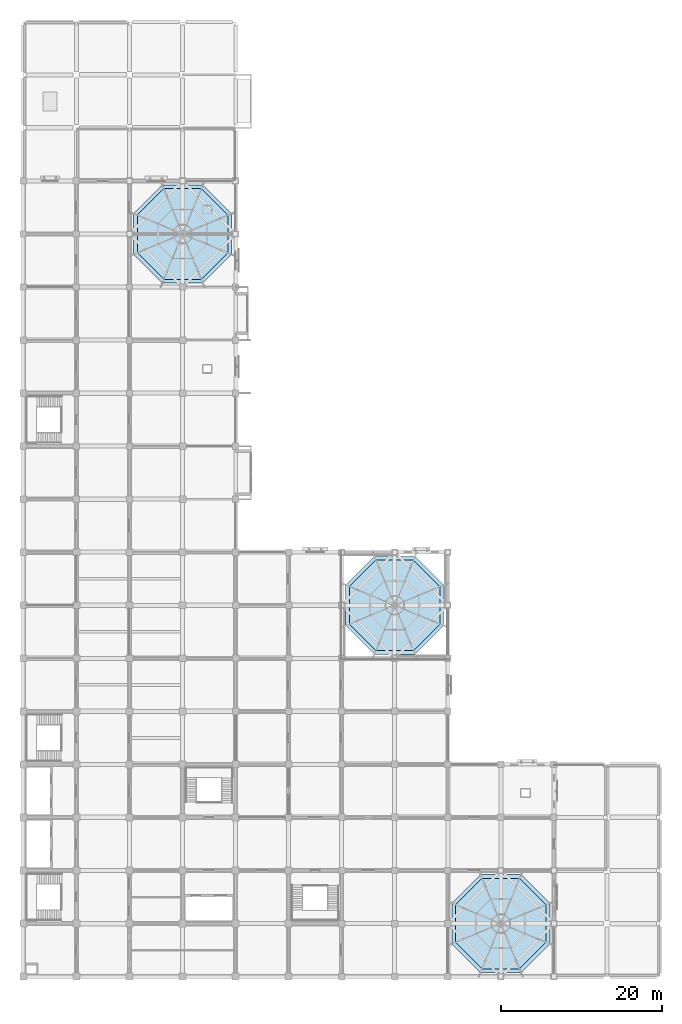
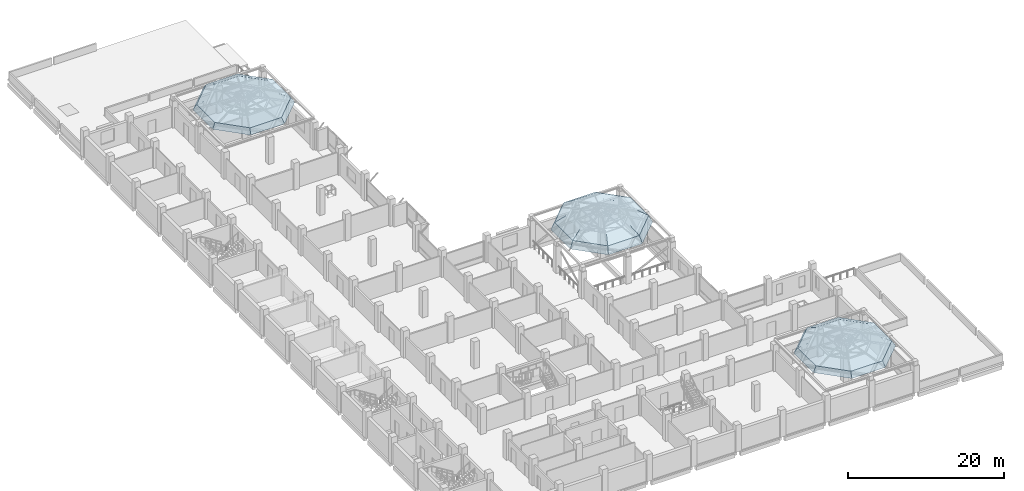
# One storey, part 23 of 25: 3 roofs.
"""IFC4 building model written with IfcOpenShell, lengths in metres."""

from ifc_helpers import new_model, si_unit, direction, frame, origin, place, context, subcontext, project, spatial, polygons, material, layer, layer_set, type_object, element, save


model = new_model("IFC4")

# Units and contexts
model_context = context("Model", 3, precision=1e-05, world=origin(), true_north=direction((0.0, 1.0)))
body_context = subcontext(model_context, "Body", "Model", "MODEL_VIEW")
ifc_project = project(units=[si_unit("LENGTHUNIT", "METRE"), si_unit("AREAUNIT", "SQUARE_METRE"), si_unit("VOLUMEUNIT", "CUBIC_METRE"), si_unit("PLANEANGLEUNIT", "RADIAN"), si_unit("MASSUNIT", "GRAM", prefix="KILO")], contexts=[model_context])

# Site, building, storey
site_placement = place(None, origin())
site = spatial("IfcSite", under=ifc_project, at=site_placement, CompositionType="ELEMENT")
building_placement = place(site_placement, origin())
building = spatial("IfcBuilding", under=site, at=building_placement, Name="Rusizi Kubbe Research Institute", CompositionType="ELEMENT")
storey_placement = place(building_placement, frame((0.0, 0.0, 14.39990234375)))
storey = spatial("IfcBuildingStorey", under=building, at=storey_placement, Name="L03", CompositionType="ELEMENT", Elevation=14.39990234375)

# Roofs
ifc_material_1 = material(Name="Standing Seam Zinc Insulated Shell")
ifc_layer_1 = layer(ifc_material_1, 0.179931640625)
ifc_layer_set_1 = layer_set([ifc_layer_1], Name="Standing Seam Zinc Insulated Shell")
roof_type_1 = type_object("IfcRoofType", Name="RF-01", PredefinedType="DOME_ROOF", material=ifc_layer_set_1)
roof_1_placement = place(storey_placement, frame((46.199951171875, 46.199951171875, 4.85009765625)))
element("IfcRoof", 1, at=roof_1_placement, inside=storey, type_object=roof_type_1, Name="Interaction Atrium Kubbe Dome Roof", PredefinedType="DOME_ROOF", context=body_context, shape_type="Tessellation", body=[
    polygons([(6.09765625, 2.525634765625, 0.0), (2.525634765625, 6.09765625, 0.0), (-2.525634765625, 6.09765625, 0.0), (-6.09765625, 2.525634765625, 0.0), (-6.09765625, -2.525634765625, 0.0), (-2.525634765625, -6.09765625, 0.0), (2.525634765625, -6.09765625, 0.0), (6.09765625, -2.525634765625, 0.0), (5.633544921875, 2.33349609375, 1.052490234375), (2.33349609375, 5.633544921875, 1.052490234375), (-2.33349609375, 5.633544921875, 1.052490234375), (-5.633544921875, 2.33349609375, 1.052490234375), (-5.633544921875, -2.33349609375, 1.052490234375), (-2.33349609375, -5.633544921875, 1.052490234375), (2.33349609375, -5.633544921875, 1.052490234375), (5.633544921875, -2.33349609375, 1.052490234375), (4.311767578125, 1.785888671875, 1.944580078125), (1.785888671875, 4.311767578125, 1.944580078125), (-1.785888671875, 4.311767578125, 1.944580078125), (-4.311767578125, 1.785888671875, 1.944580078125), (-4.311767578125, -1.785888671875, 1.944580078125), (-1.785888671875, -4.311767578125, 1.944580078125), (1.785888671875, -4.311767578125, 1.944580078125), (4.311767578125, -1.785888671875, 1.944580078125), (2.33349609375, 0.966552734375, 2.540771484375), (0.966552734375, 2.33349609375, 2.540771484375), (-0.966552734375, 2.33349609375, 2.540771484375), (-2.33349609375, 0.966552734375, 2.540771484375), (-2.33349609375, -0.966552734375, 2.540771484375), (-0.966552734375, -2.33349609375, 2.540771484375), (0.966552734375, -2.33349609375, 2.540771484375), (2.33349609375, -0.966552734375, 2.540771484375), (0.0, 0.0, 2.75), (5.931396484375, 2.456787109375, 0.0), (2.456787109375, 5.931396484375, 0.0), (-2.456787109375, 5.931396484375, 0.0), (-5.931396484375, 2.456787109375, 0.0), (-5.931396484375, -2.456787109375, 0.0), (-2.456787109375, -5.931396484375, 0.0), (2.456787109375, -5.931396484375, 0.0), (5.931396484375, -2.456787109375, 0.0), (5.479736328125, 2.269775390625, 0.9833984375), (2.269775390625, 5.479736328125, 0.9833984375), (-2.269775390625, 5.479736328125, 0.9833984375), (-5.479736328125, 2.269775390625, 0.9833984375), (-5.479736328125, -2.269775390625, 0.9833984375), (-2.269775390625, -5.479736328125, 0.9833984375), (2.269775390625, -5.479736328125, 0.9833984375), (5.479736328125, -2.269775390625, 0.9833984375), (4.194091796875, 1.7373046875, 1.8173828125), (1.7373046875, 4.194091796875, 1.8173828125), (-1.7373046875, 4.194091796875, 1.8173828125), (-4.194091796875, 1.7373046875, 1.8173828125), (-4.194091796875, -1.7373046875, 1.8173828125), (-1.7373046875, -4.194091796875, 1.8173828125), (1.7373046875, -4.194091796875, 1.8173828125), (4.194091796875, -1.7373046875, 1.8173828125), (2.269775390625, 0.940185546875, 2.374267578125), (0.940185546875, 2.269775390625, 2.374267578125), (-0.940185546875, 2.269775390625, 2.374267578125), (-2.269775390625, 0.940185546875, 2.374267578125), (-2.269775390625, -0.940185546875, 2.374267578125), (-0.940185546875, -2.269775390625, 2.374267578125), (0.940185546875, -2.269775390625, 2.374267578125), (2.269775390625, -0.940185546875, 2.374267578125), (0.0, 0.0, 2.570068359375)], [[[1, 2, 10, 9]], [[2, 3, 11, 10]], [[3, 4, 12, 11]], [[4, 5, 13, 12]], [[5, 6, 14, 13]], [[6, 7, 15, 14]], [[7, 8, 16, 15]], [[8, 1, 9, 16]], [[9, 10, 18, 17]], [[10, 11, 19, 18]], [[11, 12, 20, 19]], [[12, 13, 21, 20]], [[13, 14, 22, 21]], [[14, 15, 23, 22]], [[15, 16, 24, 23]], [[16, 9, 17, 24]], [[17, 18, 26, 25]], [[18, 19, 27, 26]], [[19, 20, 28, 27]], [[20, 21, 29, 28]], [[21, 22, 30, 29]], [[22, 23, 31, 30]], [[23, 24, 32, 31]], [[24, 17, 25, 32]], [[25, 26, 33]], [[26, 27, 33]], [[27, 28, 33]], [[28, 29, 33]], [[29, 30, 33]], [[30, 31, 33]], [[31, 32, 33]], [[32, 25, 33]], [[34, 42, 43, 35]], [[35, 43, 44, 36]], [[36, 44, 45, 37]], [[37, 45, 46, 38]], [[38, 46, 47, 39]], [[39, 47, 48, 40]], [[40, 48, 49, 41]], [[41, 49, 42, 34]], [[42, 50, 51, 43]], [[43, 51, 52, 44]], [[44, 52, 53, 45]], [[45, 53, 54, 46]], [[46, 54, 55, 47]], [[47, 55, 56, 48]], [[48, 56, 57, 49]], [[49, 57, 50, 42]], [[50, 58, 59, 51]], [[51, 59, 60, 52]], [[52, 60, 61, 53]], [[53, 61, 62, 54]], [[54, 62, 63, 55]], [[55, 63, 64, 56]], [[56, 64, 65, 57]], [[57, 65, 58, 50]], [[58, 66, 59]], [[59, 66, 60]], [[60, 66, 61]], [[61, 66, 62]], [[62, 66, 63]], [[63, 66, 64]], [[64, 66, 65]], [[65, 66, 58]], [[1, 34, 35, 2]], [[2, 35, 36, 3]], [[3, 36, 37, 4]], [[4, 37, 38, 5]], [[5, 38, 39, 6]], [[6, 39, 40, 7]], [[7, 40, 41, 8]], [[8, 41, 34, 1]]], closed=True),
])
ifc_material_2 = material(Name="Standing Seam Zinc Insulated Shell")
ifc_layer_2 = layer(ifc_material_2, 0.179931640625)
ifc_layer_set_2 = layer_set([ifc_layer_2], Name="Standing Seam Zinc Insulated Shell")
roof_type_2 = type_object("IfcRoofType", Name="RF-02", PredefinedType="DOME_ROOF", material=ifc_layer_set_2)
roof_2_placement = place(storey_placement, frame((19.800048828125, 92.39990234375, 4.85009765625)))
element("IfcRoof", 2, at=roof_2_placement, inside=storey, type_object=roof_type_2, Name="North Wing Kubbe Cupola Roof", PredefinedType="DOME_ROOF", context=body_context, shape_type="Tessellation", body=[
    polygons([(6.09765625, 2.525634765625, 0.0), (2.525634765625, 6.09765625, 0.0), (-2.525634765625, 6.09765625, 0.0), (-6.09765625, 2.525634765625, 0.0), (-6.09765625, -2.525634765625, 0.0), (-2.525634765625, -6.09765625, 0.0), (2.525634765625, -6.09765625, 0.0), (6.09765625, -2.525634765625, 0.0), (5.633544921875, 2.33349609375, 0.784423828125), (2.33349609375, 5.633544921875, 0.784423828125), (-2.33349609375, 5.633544921875, 0.784423828125), (-5.633544921875, 2.33349609375, 0.784423828125), (-5.633544921875, -2.33349609375, 0.784423828125), (-2.33349609375, -5.633544921875, 0.784423828125), (2.33349609375, -5.633544921875, 0.784423828125), (5.633544921875, -2.33349609375, 0.784423828125), (4.311767578125, 1.785888671875, 1.449462890625), (1.785888671875, 4.311767578125, 1.449462890625), (-1.785888671875, 4.311767578125, 1.449462890625), (-4.311767578125, 1.785888671875, 1.449462890625), (-4.311767578125, -1.785888671875, 1.449462890625), (-1.785888671875, -4.311767578125, 1.449462890625), (1.785888671875, -4.311767578125, 1.449462890625), (4.311767578125, -1.785888671875, 1.449462890625), (2.33349609375, 0.966552734375, 1.89404296875), (0.966552734375, 2.33349609375, 1.89404296875), (-0.966552734375, 2.33349609375, 1.89404296875), (-2.33349609375, 0.966552734375, 1.89404296875), (-2.33349609375, -0.966552734375, 1.89404296875), (-0.966552734375, -2.33349609375, 1.89404296875), (0.966552734375, -2.33349609375, 1.89404296875), (2.33349609375, -0.966552734375, 1.89404296875), (0.0, 0.0, 2.050048828125), (5.931396484375, 2.456787109375, 0.0), (2.456787109375, 5.931396484375, 0.0), (-2.456787109375, 5.931396484375, 0.0), (-5.931396484375, 2.456787109375, 0.0), (-5.931396484375, -2.456787109375, 0.0), (-2.456787109375, -5.931396484375, 0.0), (2.456787109375, -5.931396484375, 0.0), (5.931396484375, -2.456787109375, 0.0), (5.479736328125, 2.269775390625, 0.715576171875), (2.269775390625, 5.479736328125, 0.715576171875), (-2.269775390625, 5.479736328125, 0.715576171875), (-5.479736328125, 2.269775390625, 0.715576171875), (-5.479736328125, -2.269775390625, 0.715576171875), (-2.269775390625, -5.479736328125, 0.715576171875), (2.269775390625, -5.479736328125, 0.715576171875), (5.479736328125, -2.269775390625, 0.715576171875), (4.194091796875, 1.7373046875, 1.322265625), (1.7373046875, 4.194091796875, 1.322265625), (-1.7373046875, 4.194091796875, 1.322265625), (-4.194091796875, 1.7373046875, 1.322265625), (-4.194091796875, -1.7373046875, 1.322265625), (-1.7373046875, -4.194091796875, 1.322265625), (1.7373046875, -4.194091796875, 1.322265625), (4.194091796875, -1.7373046875, 1.322265625), (2.269775390625, 0.940185546875, 1.7275390625), (0.940185546875, 2.269775390625, 1.7275390625), (-0.940185546875, 2.269775390625, 1.7275390625), (-2.269775390625, 0.940185546875, 1.7275390625), (-2.269775390625, -0.940185546875, 1.7275390625), (-0.940185546875, -2.269775390625, 1.7275390625), (0.940185546875, -2.269775390625, 1.7275390625), (2.269775390625, -0.940185546875, 1.7275390625), (0.0, 0.0, 1.8701171875)], [[[1, 2, 10, 9]], [[2, 3, 11, 10]], [[3, 4, 12, 11]], [[4, 5, 13, 12]], [[5, 6, 14, 13]], [[6, 7, 15, 14]], [[7, 8, 16, 15]], [[8, 1, 9, 16]], [[9, 10, 18, 17]], [[10, 11, 19, 18]], [[11, 12, 20, 19]], [[12, 13, 21, 20]], [[13, 14, 22, 21]], [[14, 15, 23, 22]], [[15, 16, 24, 23]], [[16, 9, 17, 24]], [[17, 18, 26, 25]], [[18, 19, 27, 26]], [[19, 20, 28, 27]], [[20, 21, 29, 28]], [[21, 22, 30, 29]], [[22, 23, 31, 30]], [[23, 24, 32, 31]], [[24, 17, 25, 32]], [[25, 26, 33]], [[26, 27, 33]], [[27, 28, 33]], [[28, 29, 33]], [[29, 30, 33]], [[30, 31, 33]], [[31, 32, 33]], [[32, 25, 33]], [[34, 42, 43, 35]], [[35, 43, 44, 36]], [[36, 44, 45, 37]], [[37, 45, 46, 38]], [[38, 46, 47, 39]], [[39, 47, 48, 40]], [[40, 48, 49, 41]], [[41, 49, 42, 34]], [[42, 50, 51, 43]], [[43, 51, 52, 44]], [[44, 52, 53, 45]], [[45, 53, 54, 46]], [[46, 54, 55, 47]], [[47, 55, 56, 48]], [[48, 56, 57, 49]], [[49, 57, 50, 42]], [[50, 58, 59, 51]], [[51, 59, 60, 52]], [[52, 60, 61, 53]], [[53, 61, 62, 54]], [[54, 62, 63, 55]], [[55, 63, 64, 56]], [[56, 64, 65, 57]], [[57, 65, 58, 50]], [[58, 66, 59]], [[59, 66, 60]], [[60, 66, 61]], [[61, 66, 62]], [[62, 66, 63]], [[63, 66, 64]], [[64, 66, 65]], [[65, 66, 58]], [[1, 34, 35, 2]], [[2, 35, 36, 3]], [[3, 36, 37, 4]], [[4, 37, 38, 5]], [[5, 38, 39, 6]], [[6, 39, 40, 7]], [[7, 40, 41, 8]], [[8, 41, 34, 1]]], closed=True),
])
roof_3_placement = place(storey_placement, frame((59.39990234375, 6.60009765625, 4.85009765625)))
element("IfcRoof", 3, at=roof_3_placement, inside=storey, type_object=roof_type_2, Name="East Wing Kubbe Cupola Roof", PredefinedType="DOME_ROOF", context=body_context, shape_type="Tessellation", body=[
    polygons([(6.09765625, 2.525634765625, 0.0), (2.525634765625, 6.09765625, 0.0), (-2.525634765625, 6.09765625, 0.0), (-6.09765625, 2.525634765625, 0.0), (-6.09765625, -2.525634765625, 0.0), (-2.525634765625, -6.09765625, 0.0), (2.525634765625, -6.09765625, 0.0), (6.09765625, -2.525634765625, 0.0), (5.633544921875, 2.33349609375, 0.784423828125), (2.33349609375, 5.633544921875, 0.784423828125), (-2.33349609375, 5.633544921875, 0.784423828125), (-5.633544921875, 2.33349609375, 0.784423828125), (-5.633544921875, -2.33349609375, 0.784423828125), (-2.33349609375, -5.633544921875, 0.784423828125), (2.33349609375, -5.633544921875, 0.784423828125), (5.633544921875, -2.33349609375, 0.784423828125), (4.311767578125, 1.785888671875, 1.449462890625), (1.785888671875, 4.311767578125, 1.449462890625), (-1.785888671875, 4.311767578125, 1.449462890625), (-4.311767578125, 1.785888671875, 1.449462890625), (-4.311767578125, -1.785888671875, 1.449462890625), (-1.785888671875, -4.311767578125, 1.449462890625), (1.785888671875, -4.311767578125, 1.449462890625), (4.311767578125, -1.785888671875, 1.449462890625), (2.33349609375, 0.966552734375, 1.89404296875), (0.966552734375, 2.33349609375, 1.89404296875), (-0.966552734375, 2.33349609375, 1.89404296875), (-2.33349609375, 0.966552734375, 1.89404296875), (-2.33349609375, -0.966552734375, 1.89404296875), (-0.966552734375, -2.33349609375, 1.89404296875), (0.966552734375, -2.33349609375, 1.89404296875), (2.33349609375, -0.966552734375, 1.89404296875), (0.0, 0.0, 2.050048828125), (5.931396484375, 2.456787109375, 0.0), (2.456787109375, 5.931396484375, 0.0), (-2.456787109375, 5.931396484375, 0.0), (-5.931396484375, 2.456787109375, 0.0), (-5.931396484375, -2.456787109375, 0.0), (-2.456787109375, -5.931396484375, 0.0), (2.456787109375, -5.931396484375, 0.0), (5.931396484375, -2.456787109375, 0.0), (5.479736328125, 2.269775390625, 0.715576171875), (2.269775390625, 5.479736328125, 0.715576171875), (-2.269775390625, 5.479736328125, 0.715576171875), (-5.479736328125, 2.269775390625, 0.715576171875), (-5.479736328125, -2.269775390625, 0.715576171875), (-2.269775390625, -5.479736328125, 0.715576171875), (2.269775390625, -5.479736328125, 0.715576171875), (5.479736328125, -2.269775390625, 0.715576171875), (4.194091796875, 1.7373046875, 1.322265625), (1.7373046875, 4.194091796875, 1.322265625), (-1.7373046875, 4.194091796875, 1.322265625), (-4.194091796875, 1.7373046875, 1.322265625), (-4.194091796875, -1.7373046875, 1.322265625), (-1.7373046875, -4.194091796875, 1.322265625), (1.7373046875, -4.194091796875, 1.322265625), (4.194091796875, -1.7373046875, 1.322265625), (2.269775390625, 0.940185546875, 1.7275390625), (0.940185546875, 2.269775390625, 1.7275390625), (-0.940185546875, 2.269775390625, 1.7275390625), (-2.269775390625, 0.940185546875, 1.7275390625), (-2.269775390625, -0.940185546875, 1.7275390625), (-0.940185546875, -2.269775390625, 1.7275390625), (0.940185546875, -2.269775390625, 1.7275390625), (2.269775390625, -0.940185546875, 1.7275390625), (0.0, 0.0, 1.8701171875)], [[[1, 2, 10, 9]], [[2, 3, 11, 10]], [[3, 4, 12, 11]], [[4, 5, 13, 12]], [[5, 6, 14, 13]], [[6, 7, 15, 14]], [[7, 8, 16, 15]], [[8, 1, 9, 16]], [[9, 10, 18, 17]], [[10, 11, 19, 18]], [[11, 12, 20, 19]], [[12, 13, 21, 20]], [[13, 14, 22, 21]], [[14, 15, 23, 22]], [[15, 16, 24, 23]], [[16, 9, 17, 24]], [[17, 18, 26, 25]], [[18, 19, 27, 26]], [[19, 20, 28, 27]], [[20, 21, 29, 28]], [[21, 22, 30, 29]], [[22, 23, 31, 30]], [[23, 24, 32, 31]], [[24, 17, 25, 32]], [[25, 26, 33]], [[26, 27, 33]], [[27, 28, 33]], [[28, 29, 33]], [[29, 30, 33]], [[30, 31, 33]], [[31, 32, 33]], [[32, 25, 33]], [[34, 42, 43, 35]], [[35, 43, 44, 36]], [[36, 44, 45, 37]], [[37, 45, 46, 38]], [[38, 46, 47, 39]], [[39, 47, 48, 40]], [[40, 48, 49, 41]], [[41, 49, 42, 34]], [[42, 50, 51, 43]], [[43, 51, 52, 44]], [[44, 52, 53, 45]], [[45, 53, 54, 46]], [[46, 54, 55, 47]], [[47, 55, 56, 48]], [[48, 56, 57, 49]], [[49, 57, 50, 42]], [[50, 58, 59, 51]], [[51, 59, 60, 52]], [[52, 60, 61, 53]], [[53, 61, 62, 54]], [[54, 62, 63, 55]], [[55, 63, 64, 56]], [[56, 64, 65, 57]], [[57, 65, 58, 50]], [[58, 66, 59]], [[59, 66, 60]], [[60, 66, 61]], [[61, 66, 62]], [[62, 66, 63]], [[63, 66, 64]], [[64, 66, 65]], [[65, 66, 58]], [[1, 34, 35, 2]], [[2, 35, 36, 3]], [[3, 36, 37, 4]], [[4, 37, 38, 5]], [[5, 38, 39, 6]], [[6, 39, 40, 7]], [[7, 40, 41, 8]], [[8, 41, 34, 1]]], closed=True),
])

save(model, "model.ifc")
